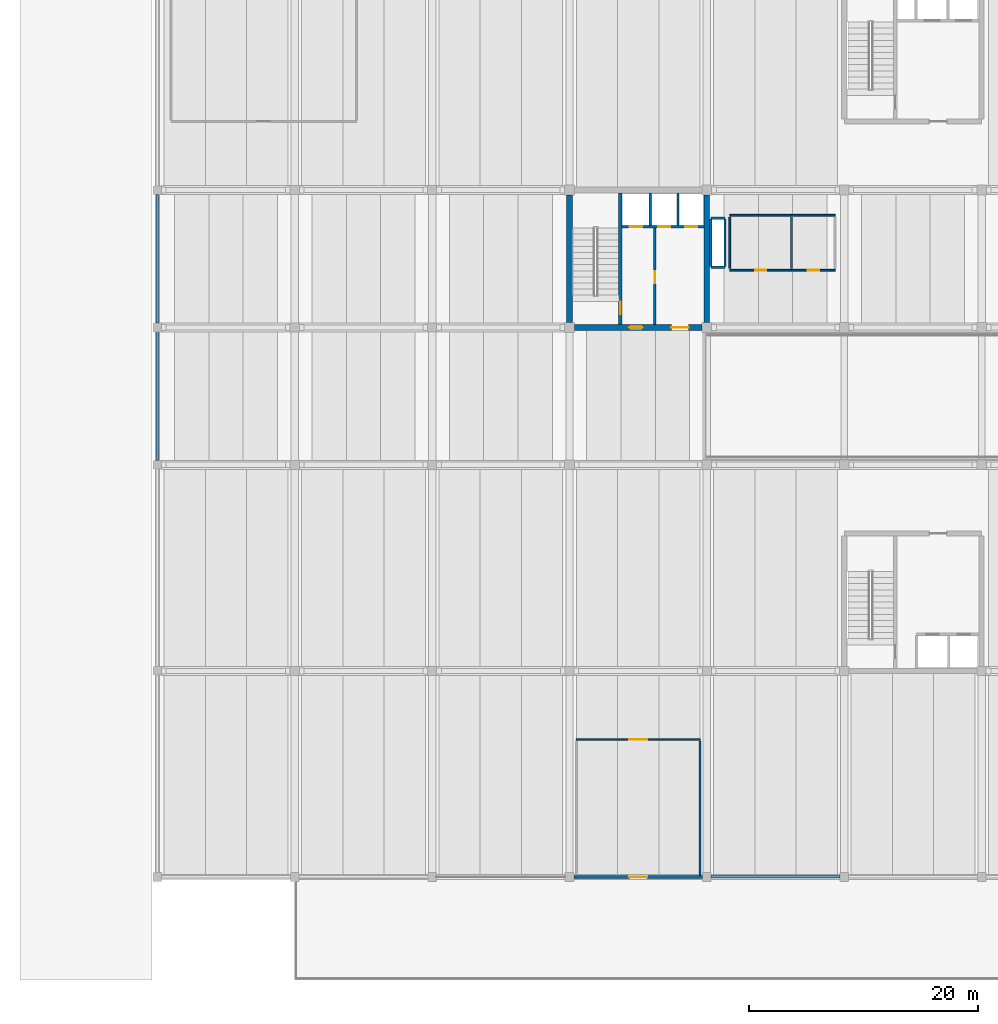
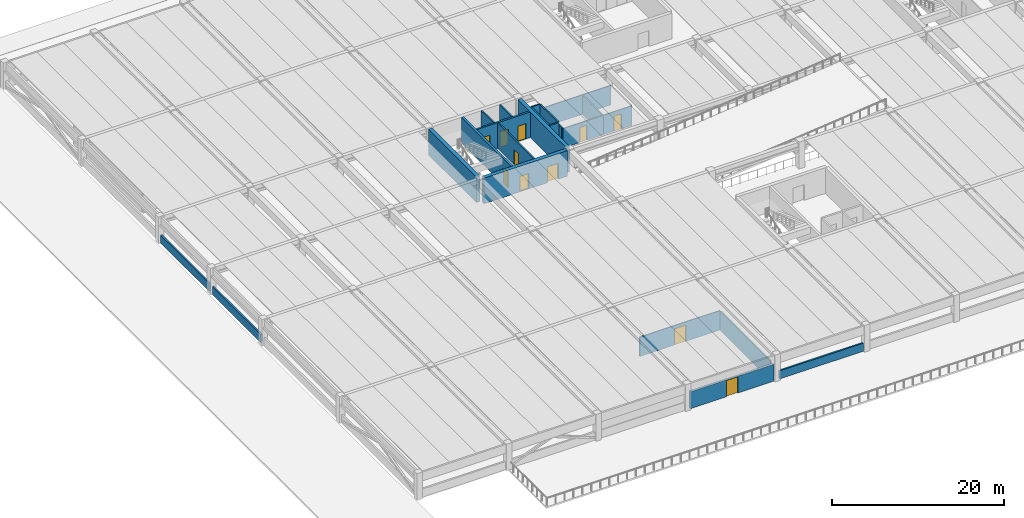
# One storey, part 7 of 16: 24 walls, 11 doors, 11 openings.
"""IFC4 building model written with IfcOpenShell, lengths in metres."""

from ifc_helpers import new_model, si_unit, direction, frame, frame_2d, origin, place, context, subcontext, project, spatial, rectangle, extrude, material, layer, layer_set, type_object, element, fill, save


model = new_model("IFC4")

# Units and contexts
model_context = context("Model", 3, precision=1e-05, world=origin(), true_north=direction((0.0, 1.0)))
body_context = subcontext(model_context, "Body", "Model", "MODEL_VIEW")
ifc_project = project(units=[si_unit("LENGTHUNIT", "METRE"), si_unit("AREAUNIT", "SQUARE_METRE"), si_unit("VOLUMEUNIT", "CUBIC_METRE"), si_unit("PLANEANGLEUNIT", "RADIAN"), si_unit("MASSUNIT", "GRAM", prefix="KILO")], contexts=[model_context])

# Site, building, storey
site_placement = place(None, origin())
site = spatial("IfcSite", under=ifc_project, at=site_placement, CompositionType="ELEMENT")
building_placement = place(site_placement, origin())
building = spatial("IfcBuilding", under=site, at=building_placement, Name="Girod Span Mobility Hub", CompositionType="ELEMENT")
storey_placement = place(building_placement, frame((0.0, 0.0, 21.0)))
storey = spatial("IfcBuildingStorey", under=building, at=storey_placement, Name="L05", CompositionType="ELEMENT", Elevation=21.0)

# Wall, openings, doors
ifc_material_1 = material(Name="Concrete C40/50", Category="concrete")
ifc_layer_1 = layer(ifc_material_1, 0.5)
ifc_layer_set_1 = layer_set([ifc_layer_1], Name="Concrete C40/50")
wall_type_1 = type_object("IfcWallType", Name="W-CW-500", PredefinedType="SHEAR", material=ifc_layer_set_1)
wall_1_placement = place(storey_placement, frame((48.422119140625, 57.0, 0.0), z_axis=(0.0, 0.0, 1.0), x_axis=(1.0, 0.0, 0.0)))
wall_1 = element("IfcWall", 1, at=wall_1_placement, inside=storey, type_object=wall_type_1, Name="Core C1 Shear Wall S L05", PredefinedType="SHEAR", context=body_context, shape_type="SweptSolid", body=[
    extrude(rectangle(XDim=11.15576171875, YDim=0.5, at=frame_2d((5.577880859375, 0.0))), origin(), (0.0, 0.0, 1.0), 3.637939453125),
])
opening_1_placement = place(wall_1_placement, frame((4.778076171875, 0.0, 0.0)))
opening_1 = element("IfcOpeningElement", 2, at=opening_1_placement, cuts=wall_1, Name="Opening D-FL-C1-L05", PredefinedType="OPENING", context=body_context, shape_type="SweptSolid", body=[
    extrude(rectangle(XDim=1.199951171875, YDim=2.199951171875, at=frame_2d((0.60009765625, 1.10009765625))), frame((0.0, 0.264892578125, 0.0), z_axis=(0.0, -1.0, 0.0), x_axis=(1.0, 0.0, 0.0)), (0.0, 0.0, 1.0), 0.530029296875),
])
opening_2_placement = place(wall_1_placement, frame((8.47802734375, 0.0, 0.0)))
opening_2 = element("IfcOpeningElement", 3, at=opening_2_placement, cuts=wall_1, Name="Opening D-LB-C1-L05", PredefinedType="OPENING", context=body_context, shape_type="SweptSolid", body=[
    extrude(rectangle(XDim=1.5, YDim=2.25, at=frame_2d((0.75, 1.125))), frame((0.0, 0.264892578125, 0.0), z_axis=(0.0, -1.0, 0.0), x_axis=(1.0, 0.0, 0.0)), (0.0, 0.0, 1.0), 0.530029296875),
])
ifc_material_2 = material(Name="Fire-Rated Insulated Hollow Metal Steel", Category="steel")
door_type_1 = type_object("IfcDoorType", Name="DT-FD-03", OperationType="DOUBLE_DOOR_SINGLE_SWING", PredefinedType="DOOR", material=ifc_material_2)
door_1_placement = place(opening_2_placement, origin())
door_1 = element("IfcDoor", 4, at=door_1_placement, inside=storey, type_object=door_type_1, Name="Lift Lobby Entry Door C1 L05", OperationType="DOUBLE_DOOR_SINGLE_SWING", OverallHeight=2.25, OverallWidth=1.5, PredefinedType="DOOR", context=body_context, shape_type="SweptSolid", body=[
    extrude(rectangle(XDim=1.5, YDim=2.25, at=frame_2d((0.75, 1.125))), frame((0.0, 0.02490234375, 0.0), z_axis=(0.0, -1.0, 0.0), x_axis=(1.0, 0.0, 0.0)), (0.0, 0.0, 1.0), 0.050048828125),
])
fill(opening_2, door_1)
ifc_material_3 = material(Name="Fire-Rated Insulated Hollow Metal Steel", Category="steel")
door_type_2 = type_object("IfcDoorType", Name="DT-FD-05", OperationType="NOTDEFINED", PredefinedType="DOOR", material=ifc_material_3)
door_2_placement = place(opening_1_placement, origin())
door_2 = element("IfcDoor", 5, at=door_2_placement, inside=storey, type_object=door_type_2, Name="Firefighting Lobby Entry Door C1 L05", OperationType="SINGLE_SWING_RIGHT", OverallHeight=2.199951171875, OverallWidth=1.199951171875, PredefinedType="DOOR", context=body_context, shape_type="SweptSolid", body=[
    extrude(rectangle(XDim=1.199951171875, YDim=2.199951171875, at=frame_2d((0.60009765625, 1.10009765625))), frame((0.0, 0.02490234375, 0.0), z_axis=(0.0, -1.0, 0.0), x_axis=(1.0, 0.0, 0.0)), (0.0, 0.0, 1.0), 0.050048828125),
])
fill(opening_1, door_2)

# Walls
for number, where, z_axis, x_axis, name in (
    (6, (48.0, 57.422119140625, 0.0), (0.0, 0.0, 1.0), (0.0, 1.0, 0.0), "Core C1 Shear Wall W L05"),
    (7, (60.0, 57.422119140625, 0.0), (0.0, 0.0, 1.0), (0.0, 1.0, 0.0), "Core C1 Shear Wall E L05"),
):
    element("IfcWall", number, at=place(storey_placement, frame(where, z_axis=z_axis, x_axis=x_axis)), inside=storey, type_object=wall_type_1, Name=name, PredefinedType="SHEAR", context=body_context, shape_type="SweptSolid", body=[
        extrude(rectangle(XDim=11.15576171875, YDim=0.5, at=frame_2d((5.577880859375, 0.0))), origin(), (0.0, 0.0, 1.0), 3.637939453125),
    ])

# Wall, opening, door
ifc_material_4 = material(Name="Precast Architectural Concrete C40/50", Category="concrete")
ifc_layer_2 = layer(ifc_material_4, 0.2900390625)
ifc_layer_set_2 = layer_set([ifc_layer_2], Name="Precast Architectural Concrete C40/50")
wall_type_2 = type_object("IfcWallType", Name="W-EXT-290", PredefinedType="SOLIDWALL", material=ifc_layer_set_2)
wall_2_placement = place(storey_placement, frame((48.373046875, 9.0, 0.0), z_axis=(0.0, 0.0, 1.0), x_axis=(1.0, 0.0, 0.0)))
wall_2 = element("IfcWall", 8, at=wall_2_placement, inside=storey, type_object=wall_type_2, Name="L05 Terrace Lounge Exterior Wall 4", PredefinedType="SOLIDWALL", context=body_context, shape_type="SweptSolid", body=[
    extrude(rectangle(XDim=11.25390625, YDim=0.2900390625, at=frame_2d((5.626953125, 0.0))), origin(), (0.0, 0.0, 1.0), 2.385009765625),
])
opening_3_placement = place(wall_2_placement, frame((4.846923828125, 0.0, 0.0)))
opening_3 = element("IfcOpeningElement", 9, at=opening_3_placement, cuts=wall_2, Name="Opening D-L05-T4", PredefinedType="OPENING", context=body_context, shape_type="SweptSolid", body=[
    extrude(rectangle(XDim=1.56005859375, YDim=2.300048828125, at=frame_2d((0.780029296875, 1.14990234375))), frame((0.0, 0.159912109375, 0.0), z_axis=(0.0, -1.0, 0.0), x_axis=(1.0, 0.0, 0.0)), (0.0, 0.0, 1.0), 0.320068359375),
])
ifc_material_5 = material(Name="Thermally Broken Anodised Aluminium", Category="aluminium")
door_type_3 = type_object("IfcDoorType", Name="DR-EXT-08", OperationType="DOUBLE_DOOR_SINGLE_SWING", PredefinedType="DOOR", material=ifc_material_5)
door_3_placement = place(opening_3_placement, origin())
door_3 = element("IfcDoor", 10, at=door_3_placement, inside=storey, type_object=door_type_3, Name="L05 South Podium Terrace Door 4", OperationType="DOUBLE_DOOR_SINGLE_SWING", OverallHeight=2.300048828125, OverallWidth=1.56005859375, PredefinedType="DOOR", context=body_context, shape_type="SweptSolid", body=[
    extrude(rectangle(XDim=1.56005859375, YDim=2.300048828125, at=frame_2d((0.780029296875, 1.14990234375))), frame((0.0, 0.02490234375, 0.0), z_axis=(0.0, -1.0, 0.0), x_axis=(1.0, 0.0, 0.0)), (0.0, 0.0, 1.0), 0.050048828125),
])
fill(opening_3, door_3)

ifc_material_6 = material(Name="Concrete C40/50", Category="concrete")
ifc_layer_3 = layer(ifc_material_6, 0.18994140625)
ifc_layer_set_3 = layer_set([ifc_layer_3], Name="Concrete C40/50")
wall_type_3 = type_object("IfcWallType", Name="W-FL-190", PredefinedType="SOLIDWALL", material=ifc_layer_set_3)
wall_3_placement = place(storey_placement, frame((55.449951171875, 57.25, 0.0), z_axis=(0.0, 0.0, 1.0), x_axis=(0.0, 1.0, 0.0)))
wall_3 = element("IfcWall", 11, at=wall_3_placement, inside=storey, type_object=wall_type_3, Name="Core C1 Firefighting Lobby Wall L05", PredefinedType="SOLIDWALL", context=body_context, shape_type="SweptSolid", body=[
    extrude(rectangle(XDim=8.429931640625, YDim=0.18994140625, at=frame_2d((4.21484375, 0.0))), origin(), (0.0, 0.0, 1.0), 3.6279296875),
])
opening_4_placement = place(wall_3_placement, frame((3.60009765625, 0.0, 0.0)))
opening_4 = element("IfcOpeningElement", 12, at=opening_4_placement, cuts=wall_3, Name="Opening D-FLX-C1-L05", PredefinedType="OPENING", context=body_context, shape_type="SweptSolid", body=[
    extrude(rectangle(XDim=1.0400390625, YDim=2.179931640625, at=frame_2d((0.52001953125, 1.08984375))), frame((0.0, 0.10986328125, 0.0), z_axis=(0.0, -1.0, 0.0), x_axis=(1.0, 0.0, 0.0)), (0.0, 0.0, 1.0), 0.219970703125),
])
ifc_material_7 = material(Name="Fire-Rated Insulated Hollow Metal Steel", Category="steel")
door_type_4 = type_object("IfcDoorType", Name="DT-FD-02", OperationType="NOTDEFINED", PredefinedType="DOOR", material=ifc_material_7)
door_4_placement = place(opening_4_placement, origin())
door_4 = element("IfcDoor", 13, at=door_4_placement, inside=storey, type_object=door_type_4, Name="Firefighting Lobby Interconnect Door C1 L05", OperationType="SINGLE_SWING_RIGHT", OverallHeight=2.179931640625, OverallWidth=1.0400390625, PredefinedType="DOOR", context=body_context, shape_type="SweptSolid", body=[
    extrude(rectangle(XDim=1.0400390625, YDim=2.179931640625, at=frame_2d((0.52001953125, 1.08984375))), frame((0.0, 0.02490234375, 0.0), z_axis=(0.0, -1.0, 0.0), x_axis=(1.0, 0.0, 0.0)), (0.0, 0.0, 1.0), 0.050048828125),
])
fill(opening_4, door_4)

# Walls
ifc_material_8 = material(Name="Precast Architectural Concrete C40/50", Category="concrete")
ifc_layer_4 = layer(ifc_material_8, 0.215087890625)
ifc_layer_set_4 = layer_set([ifc_layer_4], Name="Precast Architectural Concrete C40/50")
wall_type_4 = type_object("IfcWallType", Name="W-PAR-215", PredefinedType="PARAPET", material=ifc_layer_set_4)
for number, where, z_axis, x_axis, name in (
    (14, (60.373046875, 9.0, 0.0), (0.0, 0.0, 1.0), (1.0, 0.0, 0.0), "Precast Parking Barrier Parapet S-6 L05"),
    (15, (12.0, 45.373046875, 0.0), (0.0, 0.0, 1.0), (0.0, 1.0, 0.0), "Precast Side Barrier Parapet W-D-1 L05"),
    (16, (12.0, 57.373046875, 0.0), (0.0, 0.0, 1.0), (0.0, 1.0, 0.0), "Precast Side Barrier Parapet W-E-1 L05"),
):
    element("IfcWall", number, at=place(storey_placement, frame(where, z_axis=z_axis, x_axis=x_axis)), inside=storey, type_object=wall_type_4, Name=name, PredefinedType="PARAPET", context=body_context, shape_type="SweptSolid", body=[
        extrude(rectangle(XDim=11.25390625, YDim=0.215087890625, at=frame_2d((5.626953125, 0.0))), origin(), (0.0, 0.0, 1.0), 1.14990234375),
    ])

# Wall, opening, door
ifc_material_9 = material(Name="Fire-Rated Gypsum Board on Metal Studs", Category="gypsum")
ifc_layer_5 = layer(ifc_material_9, 0.155029296875)
ifc_layer_set_5 = layer_set([ifc_layer_5], Name="Fire-Rated Gypsum Board on Metal Studs")
wall_type_5 = type_object("IfcWallType", Name="W-PLB-155", PredefinedType="PLUMBINGWALL", material=ifc_layer_set_5)
wall_4_placement = place(storey_placement, frame((62.0, 62.0, 0.0), z_axis=(0.0, 0.0, 1.0), x_axis=(1.0, 0.0, 0.0)))
wall_4 = element("IfcWall", 17, at=wall_4_placement, inside=storey, type_object=wall_type_5, Name="Restroom L05 Partition S", PredefinedType="PLUMBINGWALL", context=body_context, shape_type="SweptSolid", body=[
    extrude(rectangle(XDim=5.39990234375, YDim=0.155029296875, at=frame_2d((2.699951171875, 0.0))), origin(), (0.0, 0.0, 1.0), 2.75),
])
opening_5_placement = place(wall_4_placement, frame((2.22509765625, 0.0, 0.0)))
opening_5 = element("IfcOpeningElement", 18, at=opening_5_placement, cuts=wall_4, Name="Opening D-L05-WC-MAIN", PredefinedType="OPENING", context=body_context, shape_type="SweptSolid", body=[
    extrude(rectangle(XDim=0.949951171875, YDim=2.1298828125, at=frame_2d((0.47509765625, 1.06494140625))), frame((0.0, 0.092529296875, 0.0), z_axis=(0.0, -1.0, 0.0), x_axis=(1.0, 0.0, 0.0)), (0.0, 0.0, 1.0), 0.18505859375),
])
ifc_material_10 = material(Name="Solid-Core Architectural Timber", Category="wood")
door_type_5 = type_object("IfcDoorType", Name="DT-NR-02", OperationType="NOTDEFINED", PredefinedType="DOOR", material=ifc_material_10)
door_5_placement = place(opening_5_placement, origin())
door_5 = element("IfcDoor", 19, at=door_5_placement, inside=storey, type_object=door_type_5, Name="Restroom L05 Door", OperationType="SINGLE_SWING_RIGHT", OverallHeight=2.1298828125, OverallWidth=0.949951171875, PredefinedType="DOOR", context=body_context, shape_type="SweptSolid", body=[
    extrude(rectangle(XDim=0.949951171875, YDim=2.1298828125, at=frame_2d((0.47509765625, 1.06494140625))), frame((0.0, 0.02490234375, 0.0), z_axis=(0.0, -1.0, 0.0), x_axis=(1.0, 0.0, 0.0)), (0.0, 0.0, 1.0), 0.050048828125),
])
fill(opening_5, door_5)

# Walls
wall_5_placement = place(storey_placement, frame((62.0, 66.800048828125, 0.0), z_axis=(0.0, 0.0, 1.0), x_axis=(1.0, 0.0, 0.0)))
element("IfcWall", 20, at=wall_5_placement, inside=storey, type_object=wall_type_5, Name="Restroom L05 Partition N", PredefinedType="PLUMBINGWALL", context=body_context, shape_type="SweptSolid", body=[
    extrude(rectangle(XDim=5.39990234375, YDim=0.155029296875, at=frame_2d((2.699951171875, 0.0))), origin(), (0.0, 0.0, 1.0), 2.75),
])
for number, where, z_axis, x_axis, name in (
    (21, (62.0, 62.159912109375, 0.0), (0.0, 0.0, 1.0), (0.0, 1.0, 0.0), "Restroom L05 Partition W"),
    (22, (67.39990234375, 62.159912109375, 0.0), (0.0, 0.0, 1.0), (0.0, 1.0, 0.0), "Restroom L05 Partition E"),
):
    element("IfcWall", number, at=place(storey_placement, frame(where, z_axis=z_axis, x_axis=x_axis)), inside=storey, type_object=wall_type_5, Name=name, PredefinedType="PLUMBINGWALL", context=body_context, shape_type="SweptSolid", body=[
        extrude(rectangle(XDim=4.47998046875, YDim=0.155029296875, at=frame_2d((2.239990234375, 0.0))), origin(), (0.0, 0.0, 1.0), 2.75),
    ])

# Wall, opening, door
wall_6_placement = place(storey_placement, frame((67.39990234375, 62.0, 0.0), z_axis=(0.0, 0.0, 1.0), x_axis=(1.0, 0.0, 0.0)))
wall_6 = element("IfcWall", 23, at=wall_6_placement, inside=storey, type_object=wall_type_5, Name="Accessible WC L05 Partition S", PredefinedType="PLUMBINGWALL", context=body_context, shape_type="SweptSolid", body=[
    extrude(rectangle(XDim=3.800048828125, YDim=0.155029296875, at=frame_2d((1.89990234375, 0.0))), origin(), (0.0, 0.0, 1.0), 2.75),
])
opening_6_placement = place(wall_6_placement, frame((1.405029296875, 0.0, 0.0)))
opening_6 = element("IfcOpeningElement", 24, at=opening_6_placement, cuts=wall_6, Name="Opening D-L05-WC-ACC", PredefinedType="OPENING", context=body_context, shape_type="SweptSolid", body=[
    extrude(rectangle(XDim=0.989990234375, YDim=2.14990234375, at=frame_2d((0.4951171875, 1.074951171875))), frame((0.0, 0.092529296875, 0.0), z_axis=(0.0, -1.0, 0.0), x_axis=(1.0, 0.0, 0.0)), (0.0, 0.0, 1.0), 0.18505859375),
])
ifc_material_11 = material(Name="Solid-Core Architectural Timber", Category="wood")
door_type_6 = type_object("IfcDoorType", Name="DT-NR-03", OperationType="NOTDEFINED", PredefinedType="DOOR", material=ifc_material_11)
door_6_placement = place(opening_6_placement, origin())
door_6 = element("IfcDoor", 25, at=door_6_placement, inside=storey, type_object=door_type_6, Name="Accessible WC L05 Door", OperationType="SINGLE_SWING_LEFT", OverallHeight=2.14990234375, OverallWidth=0.989990234375, PredefinedType="DOOR", context=body_context, shape_type="SweptSolid", body=[
    extrude(rectangle(XDim=0.989990234375, YDim=2.14990234375, at=frame_2d((0.4951171875, 1.074951171875))), frame((0.0, 0.02490234375, 0.0), z_axis=(0.0, -1.0, 0.0), x_axis=(1.0, 0.0, 0.0)), (0.0, 0.0, 1.0), 0.050048828125),
])
fill(opening_6, door_6)

# Wall
wall_7_placement = place(storey_placement, frame((67.39990234375, 66.800048828125, 0.0), z_axis=(0.0, 0.0, 1.0), x_axis=(1.0, 0.0, 0.0)))
element("IfcWall", 26, at=wall_7_placement, inside=storey, type_object=wall_type_5, Name="Accessible WC L05 Partition N", PredefinedType="PLUMBINGWALL", context=body_context, shape_type="SweptSolid", body=[
    extrude(rectangle(XDim=3.800048828125, YDim=0.155029296875, at=frame_2d((1.89990234375, 0.0))), origin(), (0.0, 0.0, 1.0), 2.75),
])

# Wall, opening, door
ifc_material_12 = material(Name="Fire-Rated Gypsum Board on Metal Studs", Category="gypsum")
ifc_layer_6 = layer(ifc_material_12, 0.139892578125)
ifc_layer_set_6 = layer_set([ifc_layer_6], Name="Fire-Rated Gypsum Board on Metal Studs")
wall_type_6 = type_object("IfcWallType", Name="W-PT-140", PredefinedType="PARTITIONING", material=ifc_layer_set_6)
wall_8_placement = place(storey_placement, frame((48.60009765625, 21.0, 0.0), z_axis=(0.0, 0.0, 1.0), x_axis=(1.0, 0.0, 0.0)))
wall_8 = element("IfcWall", 27, at=wall_8_placement, inside=storey, type_object=wall_type_6, Name="Shared Mobility Lounge West Partition N", PredefinedType="PARTITIONING", context=body_context, shape_type="SweptSolid", body=[
    extrude(rectangle(XDim=10.7998046875, YDim=0.139892578125, at=frame_2d((5.39990234375, 0.0))), origin(), (0.0, 0.0, 1.0), 2.75),
])
opening_7_placement = place(wall_8_placement, frame((4.625, 0.0, 0.0)))
opening_7 = element("IfcOpeningElement", 28, at=opening_7_placement, cuts=wall_8, Name="Opening D-L05-TLG-W", PredefinedType="OPENING", context=body_context, shape_type="SweptSolid", body=[
    extrude(rectangle(XDim=1.550048828125, YDim=2.31005859375, at=frame_2d((0.77490234375, 1.155029296875))), frame((0.0, 0.0849609375, 0.0), z_axis=(0.0, -1.0, 0.0), x_axis=(1.0, 0.0, 0.0)), (0.0, 0.0, 1.0), 0.169921875),
])
ifc_material_13 = material(Name="Solid-Core Architectural Timber", Category="wood")
door_type_7 = type_object("IfcDoorType", Name="DT-NR-14", OperationType="DOUBLE_DOOR_SINGLE_SWING", PredefinedType="DOOR", material=ifc_material_13)
door_7_placement = place(opening_7_placement, origin())
door_7 = element("IfcDoor", 29, at=door_7_placement, inside=storey, type_object=door_type_7, Name="Shared Mobility Lounge West Door", OperationType="DOUBLE_DOOR_SINGLE_SWING", OverallHeight=2.31005859375, OverallWidth=1.550048828125, PredefinedType="DOOR", context=body_context, shape_type="SweptSolid", body=[
    extrude(rectangle(XDim=1.550048828125, YDim=2.31005859375, at=frame_2d((0.77490234375, 1.155029296875))), frame((0.0, 0.02490234375, 0.0), z_axis=(0.0, -1.0, 0.0), x_axis=(1.0, 0.0, 0.0)), (0.0, 0.0, 1.0), 0.050048828125),
])
fill(opening_7, door_7)

# Walls
wall_9_placement = place(storey_placement, frame((59.39990234375, 9.139892578125, 0.0), z_axis=(0.0, 0.0, 1.0), x_axis=(0.0, 1.0, 0.0)))
element("IfcWall", 30, at=wall_9_placement, inside=storey, type_object=wall_type_6, Name="Shared Mobility Lounge West Partition E", PredefinedType="PARTITIONING", context=body_context, shape_type="SweptSolid", body=[
    extrude(rectangle(XDim=11.7001953125, YDim=0.139892578125, at=frame_2d((5.85009765625, 0.0))), origin(), (0.0, 0.0, 1.0), 2.75),
])
ifc_material_14 = material(Name="Concrete C40/50", Category="concrete")
ifc_layer_7 = layer(ifc_material_14, 0.199951171875)
ifc_layer_set_7 = layer_set([ifc_layer_7], Name="Concrete C40/50")
wall_type_7 = type_object("IfcWallType", Name="W-SH-200", PredefinedType="SOLIDWALL", material=ifc_layer_set_7)
for number, where, z_axis, x_axis, name in (
    (31, (60.346923828125, 62.25, 0.0), (0.0, 0.0, 1.0), (1.0, 0.0, 0.0), "Sanitary Wet Riser Shaft Wall S L05"),
    (32, (60.346923828125, 66.550048828125, 0.0), (0.0, 0.0, 1.0), (1.0, 0.0, 0.0), "Sanitary Wet Riser Shaft Wall N L05"),
):
    element("IfcWall", number, at=place(storey_placement, frame(where, z_axis=z_axis, x_axis=x_axis)), inside=storey, type_object=wall_type_7, Name=name, PredefinedType="SOLIDWALL", context=body_context, shape_type="SweptSolid", body=[
        extrude(rectangle(XDim=1.233154296875, YDim=0.199951171875, at=frame_2d((0.61669921875, 0.0))), origin(), (0.0, 0.0, 1.0), 3.637939453125),
    ])
for number, where, z_axis, x_axis, name in (
    (33, (60.346923828125, 62.330078125, 0.0), (0.0, 0.0, 1.0), (0.0, 1.0, 0.0), "Sanitary Wet Riser Shaft Wall W L05"),
    (34, (61.580078125, 62.330078125, 0.0), (0.0, 0.0, 1.0), (0.0, 1.0, 0.0), "Sanitary Wet Riser Shaft Wall E L05"),
):
    element("IfcWall", number, at=place(storey_placement, frame(where, z_axis=z_axis, x_axis=x_axis)), inside=storey, type_object=wall_type_7, Name=name, PredefinedType="SOLIDWALL", context=body_context, shape_type="SweptSolid", body=[
        extrude(rectangle(XDim=4.139892578125, YDim=0.199951171875, at=frame_2d((2.06982421875, 0.0))), origin(), (0.0, 0.0, 1.0), 3.637939453125),
    ])
for number, where, z_axis, x_axis, name in (
    (35, (55.050048828125, 65.919921875, 0.0), (0.0, 0.0, 1.0), (0.0, 1.0, 0.0), "Core C1 Shaft Divider 1 L05"),
    (36, (57.47998046875, 65.919921875, 0.0), (0.0, 0.0, 1.0), (0.0, 1.0, 0.0), "Core C1 Shaft Divider 2 L05"),
):
    element("IfcWall", number, at=place(storey_placement, frame(where, z_axis=z_axis, x_axis=x_axis)), inside=storey, type_object=wall_type_7, Name=name, PredefinedType="SOLIDWALL", context=body_context, shape_type="SweptSolid", body=[
        extrude(rectangle(XDim=2.830078125, YDim=0.199951171875, at=frame_2d((1.4150390625, 0.0))), origin(), (0.0, 0.0, 1.0), 3.6279296875),
    ])

# Wall, openings, doors
ifc_material_15 = material(Name="Concrete C40/50", Category="concrete")
ifc_layer_8 = layer(ifc_material_15, 0.25)
ifc_layer_set_8 = layer_set([ifc_layer_8], Name="Concrete C40/50")
wall_type_8 = type_object("IfcWallType", Name="W-SH-250", PredefinedType="SOLIDWALL", material=ifc_layer_set_8)
wall_10_placement = place(storey_placement, frame((52.596923828125, 65.800048828125, 0.0), z_axis=(0.0, 0.0, 1.0), x_axis=(1.0, 0.0, 0.0)))
wall_10 = element("IfcWall", 37, at=wall_10_placement, inside=storey, type_object=wall_type_8, Name="Core C1 Hoistway Front Wall L05", PredefinedType="SOLIDWALL", context=body_context, shape_type="SweptSolid", body=[
    extrude(rectangle(XDim=7.156005859375, YDim=0.25, at=frame_2d((3.578125, 0.0))), origin(), (0.0, 0.0, 1.0), 3.637939453125),
])
opening_8_placement = place(wall_10_placement, frame((0.653076171875, 0.0, 0.0)))
opening_8 = element("IfcOpeningElement", 38, at=opening_8_placement, cuts=wall_10, Name="Opening LD-FL-1-L05", PredefinedType="OPENING", context=body_context, shape_type="SweptSolid", body=[
    extrude(rectangle(XDim=1.10009765625, YDim=2.239990234375, at=frame_2d((0.550048828125, 1.1201171875))), frame((0.0, 0.139892578125, 0.0), z_axis=(0.0, -1.0, 0.0), x_axis=(1.0, 0.0, 0.0)), (0.0, 0.0, 1.0), 0.280029296875),
])
opening_9_placement = place(wall_10_placement, frame((3.153076171875, 0.0, 0.0)))
opening_9 = element("IfcOpeningElement", 39, at=opening_9_placement, cuts=wall_10, Name="Opening LD-LP-1-L05", PredefinedType="OPENING", context=body_context, shape_type="SweptSolid", body=[
    extrude(rectangle(XDim=1.050048828125, YDim=2.199951171875, at=frame_2d((0.52490234375, 1.10009765625))), frame((0.0, 0.139892578125, 0.0), z_axis=(0.0, -1.0, 0.0), x_axis=(1.0, 0.0, 0.0)), (0.0, 0.0, 1.0), 0.280029296875),
])
opening_10_placement = place(wall_10_placement, frame((5.528076171875, 0.0, 0.0)))
opening_10 = element("IfcOpeningElement", 40, at=opening_10_placement, cuts=wall_10, Name="Opening LD-LP-2-L05", PredefinedType="OPENING", context=body_context, shape_type="SweptSolid", body=[
    extrude(rectangle(XDim=1.050048828125, YDim=2.199951171875, at=frame_2d((0.52490234375, 1.10009765625))), frame((0.0, 0.139892578125, 0.0), z_axis=(0.0, -1.0, 0.0), x_axis=(1.0, 0.0, 0.0)), (0.0, 0.0, 1.0), 0.280029296875),
])
ifc_material_16 = material(Name="Brushed Stainless Steel Grade 304", Category="steel")
door_type_8 = type_object("IfcDoorType", Name="LD-FL-110", OperationType="SLIDING_TO_LEFT", PredefinedType="USERDEFINED", material=ifc_material_16)
door_8_placement = place(opening_8_placement, origin())
door_8 = element("IfcDoor", 41, at=door_8_placement, inside=storey, type_object=door_type_8, Name="Lift FL-1 Sliding Landing Door L05", ObjectType="LANDING DOOR", OperationType="SLIDING_TO_LEFT", OverallHeight=2.239990234375, OverallWidth=1.10009765625, PredefinedType="USERDEFINED", context=body_context, shape_type="SweptSolid", body=[
    extrude(rectangle(XDim=1.10009765625, YDim=2.239990234375, at=frame_2d((0.550048828125, 1.1201171875))), frame((0.0, 0.02490234375, 0.0), z_axis=(0.0, -1.0, 0.0), x_axis=(1.0, 0.0, 0.0)), (0.0, 0.0, 1.0), 0.050048828125),
])
fill(opening_8, door_8)
ifc_material_17 = material(Name="Brushed Stainless Steel Grade 304", Category="steel")
door_type_9 = type_object("IfcDoorType", Name="LD-LP-105", OperationType="SLIDING_TO_LEFT", PredefinedType="USERDEFINED", material=ifc_material_17)
door_9_placement = place(opening_9_placement, origin())
door_9 = element("IfcDoor", 42, at=door_9_placement, inside=storey, type_object=door_type_9, Name="Lift LP-1 Sliding Landing Door L05", ObjectType="LANDING DOOR", OperationType="SLIDING_TO_LEFT", OverallHeight=2.199951171875, OverallWidth=1.050048828125, PredefinedType="USERDEFINED", context=body_context, shape_type="SweptSolid", body=[
    extrude(rectangle(XDim=1.050048828125, YDim=2.199951171875, at=frame_2d((0.52490234375, 1.10009765625))), frame((0.0, 0.02490234375, 0.0), z_axis=(0.0, -1.0, 0.0), x_axis=(1.0, 0.0, 0.0)), (0.0, 0.0, 1.0), 0.050048828125),
])
fill(opening_9, door_9)
door_10_placement = place(opening_10_placement, origin())
door_10 = element("IfcDoor", 43, at=door_10_placement, inside=storey, type_object=door_type_9, Name="Lift LP-2 Sliding Landing Door L05", ObjectType="LANDING DOOR", OperationType="SLIDING_TO_LEFT", OverallHeight=2.199951171875, OverallWidth=1.050048828125, PredefinedType="USERDEFINED", context=body_context, shape_type="SweptSolid", body=[
    extrude(rectangle(XDim=1.050048828125, YDim=2.199951171875, at=frame_2d((0.52490234375, 1.10009765625))), frame((0.0, 0.02490234375, 0.0), z_axis=(0.0, -1.0, 0.0), x_axis=(1.0, 0.0, 0.0)), (0.0, 0.0, 1.0), 0.050048828125),
])
fill(opening_10, door_10)

# Wall, opening, door
ifc_material_18 = material(Name="Concrete C40/50", Category="concrete")
ifc_layer_9 = layer(ifc_material_18, 0.300048828125)
ifc_layer_set_9 = layer_set([ifc_layer_9], Name="Concrete C40/50")
wall_type_9 = type_object("IfcWallType", Name="W-SH-300", PredefinedType="SHEAR", material=ifc_layer_set_9)
wall_11_placement = place(storey_placement, frame((52.449951171875, 57.2470703125, 0.0), z_axis=(0.0, 0.0, 1.0), x_axis=(0.0, 1.0, 0.0)))
wall_11 = element("IfcWall", 44, at=wall_11_placement, inside=storey, type_object=wall_type_9, Name="Core C1 Stairwell Spine Wall L05", PredefinedType="SHEAR", context=body_context, shape_type="SweptSolid", body=[
    extrude(rectangle(XDim=11.505859375, YDim=0.300048828125, at=frame_2d((5.7529296875, 0.0))), origin(), (0.0, 0.0, 1.0), 3.637939453125),
])
opening_11_placement = place(wall_11_placement, frame((0.89990234375, 0.0, 0.0)))
opening_11 = element("IfcOpeningElement", 45, at=opening_11_placement, cuts=wall_11, Name="Opening D-ST-1-L05", PredefinedType="OPENING", context=body_context, shape_type="SweptSolid", body=[
    extrude(rectangle(XDim=1.10009765625, YDim=2.199951171875, at=frame_2d((0.550048828125, 1.10009765625))), frame((0.0, 0.1650390625, 0.0), z_axis=(0.0, -1.0, 0.0), x_axis=(1.0, 0.0, 0.0)), (0.0, 0.0, 1.0), 0.330078125),
])
ifc_material_19 = material(Name="Fire-Rated Insulated Hollow Metal Steel", Category="steel")
door_type_10 = type_object("IfcDoorType", Name="DT-FD-01", OperationType="NOTDEFINED", PredefinedType="DOOR", material=ifc_material_19)
door_11_placement = place(opening_11_placement, origin())
door_11 = element("IfcDoor", 46, at=door_11_placement, inside=storey, type_object=door_type_10, Name="Stair ST-1 Fire Door L05", OperationType="SINGLE_SWING_LEFT", OverallHeight=2.199951171875, OverallWidth=1.10009765625, PredefinedType="DOOR", context=body_context, shape_type="SweptSolid", body=[
    extrude(rectangle(XDim=1.10009765625, YDim=2.199951171875, at=frame_2d((0.550048828125, 1.10009765625))), frame((0.0, 0.02490234375, 0.0), z_axis=(0.0, -1.0, 0.0), x_axis=(1.0, 0.0, 0.0)), (0.0, 0.0, 1.0), 0.050048828125),
])
fill(opening_11, door_11)

save(model, "model.ifc")
